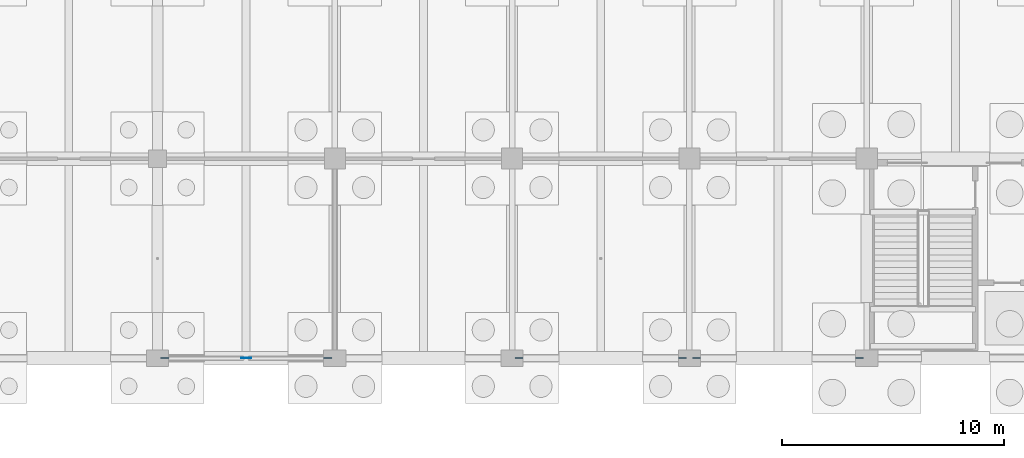
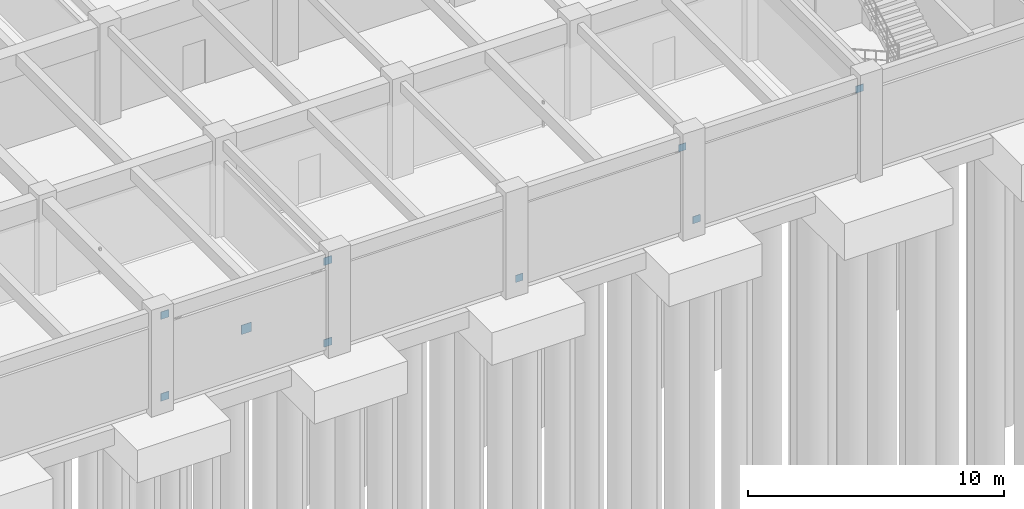
# One storey, part 97 of 147: 9 plates.
"""IFC4 building model written with IfcOpenShell, lengths in metres."""

from ifc_helpers import new_model, si_unit, direction, frame, origin, origin_2d, place, context, subcontext, project, spatial, rectangle, extrude, material, layer, layer_set, type_object, element, save


model = new_model("IFC4")

# Units and contexts
model_context = context("Model", 3, precision=1e-05, world=origin(), true_north=direction((0.0, 1.0)))
body_context = subcontext(model_context, "Body", "Model", "MODEL_VIEW")
ifc_project = project(units=[si_unit("LENGTHUNIT", "METRE"), si_unit("AREAUNIT", "SQUARE_METRE"), si_unit("VOLUMEUNIT", "CUBIC_METRE"), si_unit("PLANEANGLEUNIT", "RADIAN"), si_unit("MASSUNIT", "GRAM", prefix="KILO")], contexts=[model_context])

# Site, building, storey
site_placement = place(None, origin())
site = spatial("IfcSite", under=ifc_project, at=site_placement, CompositionType="ELEMENT")
building_placement = place(site_placement, origin())
building = spatial("IfcBuilding", under=site, at=building_placement, Name="Varnabhumi Central Station", CompositionType="ELEMENT")
storey_placement = place(building_placement, origin())
storey = spatial("IfcBuildingStorey", under=building, at=storey_placement, Name="L00", CompositionType="ELEMENT", Elevation=0.0)

# Plates
ifc_material = material(Name="Structural steel E350", Category="steel")
ifc_layer = layer(ifc_material, 0.031982421875, Name="Structural steel E350", Category="steel")
ifc_layer_set = layer_set([ifc_layer], Name="Structural steel E350")
plate_type = type_object("IfcPlateType", Name="PLT-GUSSET-A", PredefinedType="USERDEFINED", material=ifc_layer_set)
plate_placement = place(storey_placement, frame((12.0, 0.0, 1.929931640625), z_axis=(0.0, 0.0, 1.0), x_axis=(1.0, 0.0, 0.0)))
element("IfcPlate", 1, at=plate_placement, inside=storey, type_object=plate_type, Name="X-Brace Crossing Node Gusset L00-A:2-3", ObjectType="GUSSET PLATE", PredefinedType="USERDEFINED", context=body_context, shape_type="SweptSolid", body=[
    extrude(rectangle(XDim=0.43994140625, YDim=0.02490234375, at=origin_2d()), origin(), (0.0, 0.0, 1.0), 0.43994140625),
])
for number, where, z_axis, x_axis, name in (
    (2, (8.320068359375, 0.0, 0.02001953125), (0.0, 0.0, 1.0), (1.0, 0.0, 0.0), "Brace End Gusset Plate L00-A:2-3-BL"),
    (3, (8.320068359375, 0.0, 3.919921875), (0.0, 0.0, 1.0), (1.0, 0.0, 0.0), "Brace End Gusset Plate L00-A:2-3-TL"),
    (4, (15.679931640625, 0.0, 0.02001953125), (0.0, 0.0, 1.0), (1.0, 0.0, 0.0), "Brace End Gusset Plate L00-A:2-3-BR"),
    (5, (15.679931640625, 0.0, 3.919921875), (0.0, 0.0, 1.0), (1.0, 0.0, 0.0), "Brace End Gusset Plate L00-A:2-3-TR"),
):
    element("IfcPlate", number, at=place(storey_placement, frame(where, z_axis=z_axis, x_axis=x_axis)), inside=storey, type_object=plate_type, Name=name, ObjectType="GUSSET PLATE", PredefinedType="USERDEFINED", context=body_context, shape_type="SweptSolid", body=[
        extrude(rectangle(XDim=0.360107421875, YDim=0.02490234375, at=origin_2d()), origin(), (0.0, 0.0, 1.0), 0.360107421875),
    ])
for number, where, z_axis, x_axis, name in (
    (6, (24.320068359375, 0.0, 0.080078125), (0.0, 0.0, 1.0), (1.0, 0.0, 0.0), "Lateral Brace End Gusset WB-1-B"),
    (7, (31.679931640625, 0.0, 3.72998046875), (0.0, 0.0, 1.0), (1.0, 0.0, 0.0), "Lateral Brace End Gusset WB-1-T"),
    (8, (32.320068359375, 0.0, 0.080078125), (0.0, 0.0, 1.0), (1.0, 0.0, 0.0), "Lateral Brace End Gusset WB-6-B"),
    (9, (39.679931640625, 0.0, 3.72998046875), (0.0, 0.0, 1.0), (1.0, 0.0, 0.0), "Lateral Brace End Gusset WB-6-T"),
):
    element("IfcPlate", number, at=place(storey_placement, frame(where, z_axis=z_axis, x_axis=x_axis)), inside=storey, type_object=plate_type, Name=name, ObjectType="GUSSET PLATE", PredefinedType="USERDEFINED", context=body_context, shape_type="SweptSolid", body=[
        extrude(rectangle(XDim=0.340087890625, YDim=0.02490234375, at=origin_2d()), origin(), (0.0, 0.0, 1.0), 0.340087890625),
    ])

save(model, "model.ifc")
